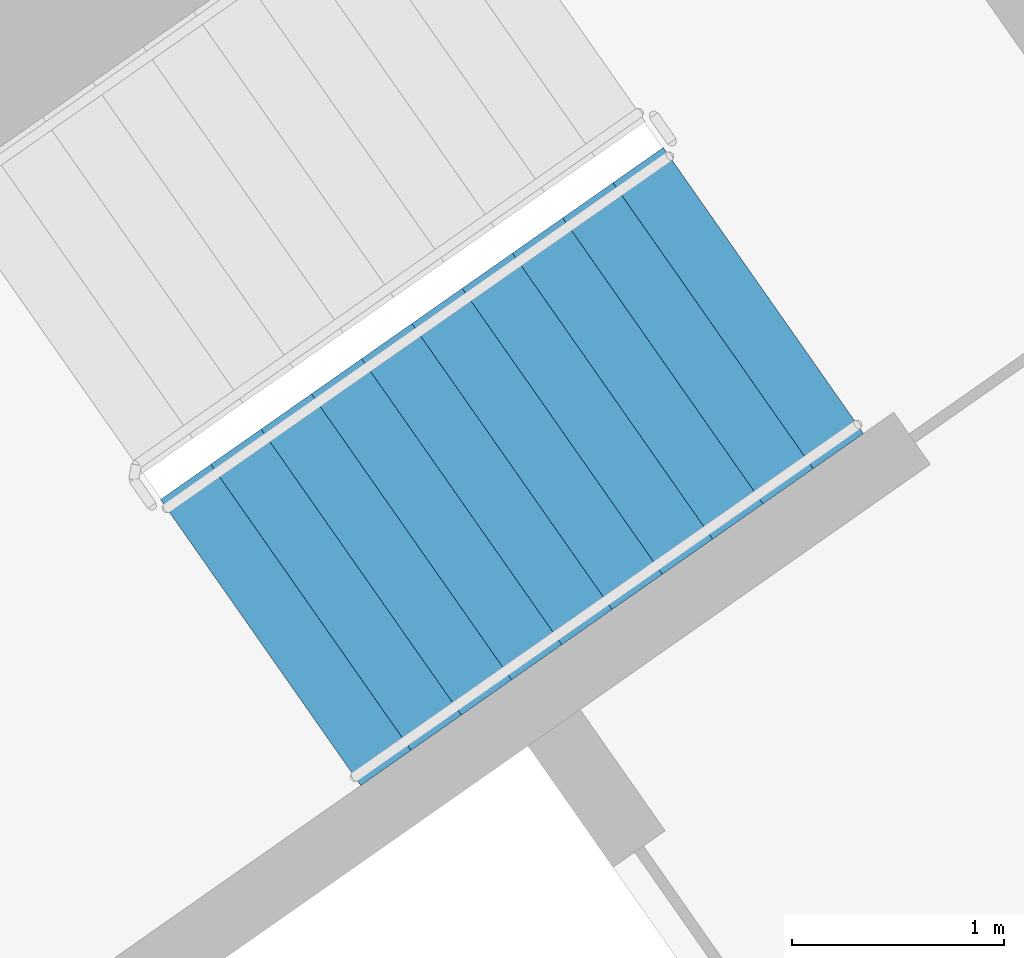
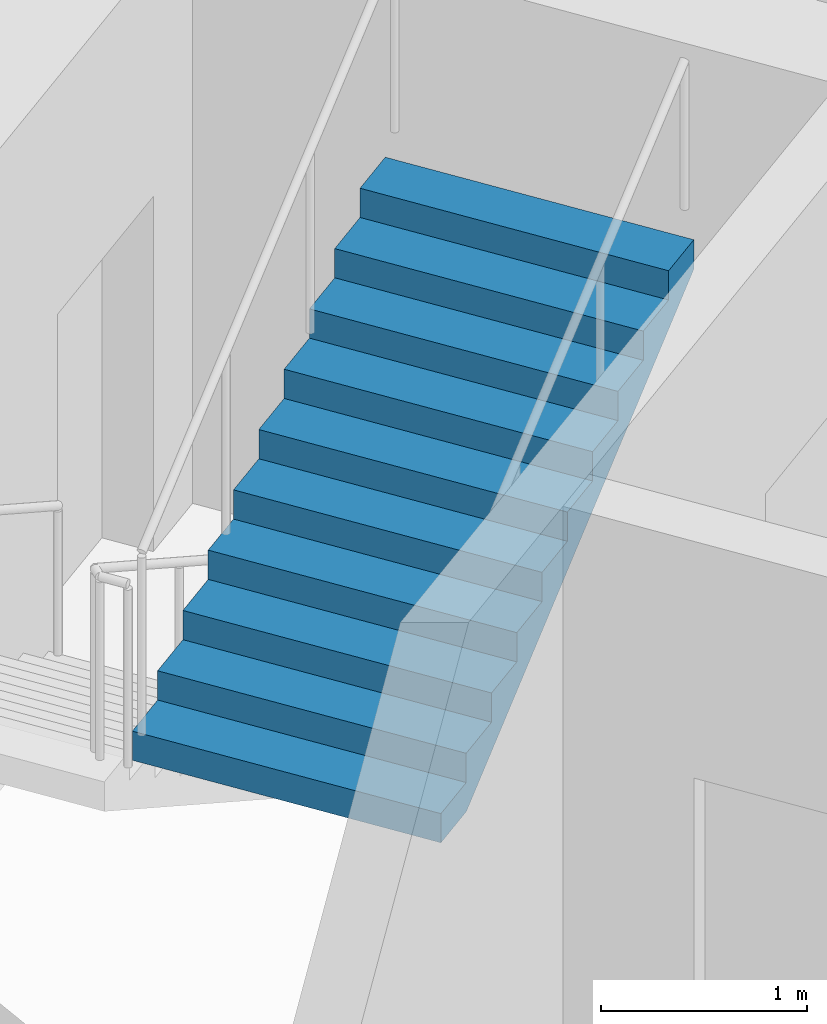
# One storey, part 15 of 27: 1 stair flight, 1 element without a shape of its own.
"""IFC4 building model written with IfcOpenShell, lengths in metres."""

from ifc_helpers import new_model, si_unit, direction, frame, origin, place, context, subcontext, project, spatial, faceted_brep, material, type_object, element, aggregate, save


model = new_model("IFC4")

# Units and contexts
model_context = context("Model", 3, precision=1e-05, world=origin(), true_north=direction((0.0, 1.0)))
body_context = subcontext(model_context, "Body", "Model", "MODEL_VIEW")
ifc_project = project(units=[si_unit("LENGTHUNIT", "METRE"), si_unit("AREAUNIT", "SQUARE_METRE"), si_unit("VOLUMEUNIT", "CUBIC_METRE"), si_unit("PLANEANGLEUNIT", "RADIAN"), si_unit("MASSUNIT", "GRAM", prefix="KILO")], contexts=[model_context])

# Site, building, storey
site_placement = place(None, origin())
site = spatial("IfcSite", under=ifc_project, at=site_placement, CompositionType="ELEMENT")
building_placement = place(site_placement, origin())
building = spatial("IfcBuilding", under=site, at=building_placement, Name="Qamariyya Broadcast Tower", CompositionType="ELEMENT")
storey_placement = place(building_placement, frame((0.0, 0.0, 172.10009765625)))
storey = spatial("IfcBuildingStorey", under=building, at=storey_placement, Name="L40", CompositionType="ELEMENT", Elevation=172.10009765625)

# Stair, stair flight
ifc_material = material(Name="Concrete C50/60", Category="concrete")
stair_type = type_object("IfcStairType", Name="Exit stair 22 risers of 173 mm", PredefinedType="HALF_TURN_STAIR", material=ifc_material)
stair_placement = place(storey_placement, origin())
stair = element("IfcStair", 1, at=stair_placement, inside=storey, type_object=stair_type, Name="L40 Stair E2", PredefinedType="HALF_TURN_STAIR")
stair_flight_type = type_object("IfcStairFlightType", Name="Exit stair flight 11 risers of 173 mm", PredefinedType="STRAIGHT", material=ifc_material)
stair_flight_placement = place(storey_placement, frame((39.215576171875, -50.822998046875, 1.89990234375), z_axis=(0.0, 0.0, 1.0), x_axis=(0.819152044289, 0.573576436351, 0.0)))
stair_flight = element("IfcStairFlight", 2, at=stair_flight_placement, type_object=stair_flight_type, Name="ST-E2 flight 2", NumberOfRisers=11, NumberOfTreads=10, PredefinedType="STRAIGHT", RiserHeight=0.172727273, TreadLength=0.29, context=body_context, shape_type="Brep", body=[
    faceted_brep([(0.0, 0.824951171875, 0.0), (0.0, 0.824951171875, 0.172607421875), (0.2900390625, 0.824951171875, 0.172607421875), (0.2900390625, 0.824951171875, 0.345458984375), (0.580078125, 0.824951171875, 0.345458984375), (0.580078125, 0.824951171875, 0.51806640625), (0.8701171875, 0.824951171875, 0.51806640625), (0.8701171875, 0.824951171875, 0.69091796875), (1.159912109375, 0.824951171875, 0.69091796875), (1.159912109375, 0.824951171875, 0.863525390625), (1.449951171875, 0.824951171875, 0.863525390625), (1.449951171875, 0.824951171875, 1.036376953125), (1.739990234375, 0.824951171875, 1.036376953125), (1.739990234375, 0.824951171875, 1.208984375), (2.030029296875, 0.824951171875, 1.208984375), (2.030029296875, 0.824951171875, 1.3818359375), (2.320068359375, 0.824951171875, 1.3818359375), (2.320068359375, 0.824951171875, 1.554443359375), (2.610107421875, 0.824951171875, 1.554443359375), (2.610107421875, 0.824951171875, 1.727294921875), (2.89990234375, 0.824951171875, 1.727294921875), (2.89990234375, 0.824951171875, 1.552734375), (0.29296875, 0.824951171875, 0.0), (0.29296875, -0.824951171875, 0.0), (2.89990234375, -0.824951171875, 1.552734375), (2.89990234375, -0.824951171875, 1.727294921875), (2.610107421875, -0.824951171875, 1.727294921875), (2.610107421875, -0.824951171875, 1.554443359375), (2.320068359375, -0.824951171875, 1.554443359375), (2.320068359375, -0.824951171875, 1.3818359375), (2.030029296875, -0.824951171875, 1.3818359375), (2.030029296875, -0.824951171875, 1.208984375), (1.739990234375, -0.824951171875, 1.208984375), (1.739990234375, -0.824951171875, 1.036376953125), (1.449951171875, -0.824951171875, 1.036376953125), (1.449951171875, -0.824951171875, 0.863525390625), (1.159912109375, -0.824951171875, 0.863525390625), (1.159912109375, -0.824951171875, 0.69091796875), (0.8701171875, -0.824951171875, 0.69091796875), (0.8701171875, -0.824951171875, 0.51806640625), (0.580078125, -0.824951171875, 0.51806640625), (0.580078125, -0.824951171875, 0.345458984375), (0.2900390625, -0.824951171875, 0.345458984375), (0.2900390625, -0.824951171875, 0.172607421875), (0.0, -0.824951171875, 0.172607421875), (0.0, -0.824951171875, 0.0), (0.0, 0.10009765625, 0.0), (0.0, 0.086669921875, 0.0), (0.0, 0.0732421875, 0.0), (0.0, 0.06005859375, 0.0), (0.0, 0.046630859375, 0.0), (0.0, 0.033447265625, 0.0), (0.0, 0.02001953125, 0.0), (0.0, 0.006591796875, 0.0), (0.0, -0.006591796875, 0.0), (0.0, -0.02001953125, 0.0), (0.0, -0.033447265625, 0.0), (0.0, -0.046630859375, 0.0), (0.0, -0.06005859375, 0.0), (0.0, -0.0732421875, 0.0), (0.0, -0.086669921875, 0.0), (0.0, -0.10009765625, 0.0), (0.0, -0.10009765625, 0.172607421875), (0.0, -0.086669921875, 0.172607421875), (0.0, -0.0732421875, 0.172607421875), (0.0, -0.06005859375, 0.172607421875), (0.0, -0.046630859375, 0.172607421875), (0.0, -0.033447265625, 0.172607421875), (0.0, -0.02001953125, 0.172607421875), (0.0, -0.006591796875, 0.172607421875), (0.0, 0.006591796875, 0.172607421875), (0.0, 0.02001953125, 0.172607421875), (0.0, 0.033447265625, 0.172607421875), (0.0, 0.046630859375, 0.172607421875), (0.0, 0.06005859375, 0.172607421875), (0.0, 0.0732421875, 0.172607421875), (0.0, 0.086669921875, 0.172607421875), (0.0, 0.10009765625, 0.172607421875), (0.2900390625, -0.10009765625, 0.172607421875), (0.2900390625, -0.086669921875, 0.172607421875), (0.2900390625, -0.0732421875, 0.172607421875), (0.2900390625, -0.06005859375, 0.172607421875), (0.2900390625, -0.046630859375, 0.172607421875), (0.2900390625, -0.033447265625, 0.172607421875), (0.2900390625, -0.02001953125, 0.172607421875), (0.2900390625, -0.006591796875, 0.172607421875), (0.2900390625, 0.006591796875, 0.172607421875), (0.2900390625, 0.02001953125, 0.172607421875), (0.2900390625, 0.033447265625, 0.172607421875), (0.2900390625, 0.046630859375, 0.172607421875), (0.2900390625, 0.06005859375, 0.172607421875), (0.2900390625, 0.0732421875, 0.172607421875), (0.2900390625, 0.086669921875, 0.172607421875), (0.2900390625, 0.10009765625, 0.172607421875), (0.2900390625, -0.10009765625, 0.345458984375), (0.2900390625, -0.086669921875, 0.345458984375), (0.2900390625, -0.0732421875, 0.345458984375), (0.2900390625, -0.06005859375, 0.345458984375), (0.2900390625, -0.046630859375, 0.345458984375), (0.2900390625, -0.033447265625, 0.345458984375), (0.2900390625, -0.02001953125, 0.345458984375), (0.2900390625, -0.006591796875, 0.345458984375), (0.2900390625, 0.006591796875, 0.345458984375), (0.2900390625, 0.02001953125, 0.345458984375), (0.2900390625, 0.033447265625, 0.345458984375), (0.2900390625, 0.046630859375, 0.345458984375), (0.2900390625, 0.06005859375, 0.345458984375), (0.2900390625, 0.0732421875, 0.345458984375), (0.2900390625, 0.086669921875, 0.345458984375), (0.2900390625, 0.10009765625, 0.345458984375), (0.580078125, -0.10009765625, 0.345458984375), (0.580078125, -0.086669921875, 0.345458984375), (0.580078125, -0.0732421875, 0.345458984375), (0.580078125, -0.06005859375, 0.345458984375), (0.580078125, -0.046630859375, 0.345458984375), (0.580078125, -0.033447265625, 0.345458984375), (0.580078125, -0.02001953125, 0.345458984375), (0.580078125, -0.006591796875, 0.345458984375), (0.580078125, 0.006591796875, 0.345458984375), (0.580078125, 0.02001953125, 0.345458984375), (0.580078125, 0.033447265625, 0.345458984375), (0.580078125, 0.046630859375, 0.345458984375), (0.580078125, 0.06005859375, 0.345458984375), (0.580078125, 0.0732421875, 0.345458984375), (0.580078125, 0.086669921875, 0.345458984375), (0.580078125, 0.10009765625, 0.345458984375), (0.580078125, -0.10009765625, 0.51806640625), (0.580078125, -0.086669921875, 0.51806640625), (0.580078125, -0.0732421875, 0.51806640625), (0.580078125, -0.06005859375, 0.51806640625), (0.580078125, -0.046630859375, 0.51806640625), (0.580078125, -0.033447265625, 0.51806640625), (0.580078125, -0.02001953125, 0.51806640625), (0.580078125, -0.006591796875, 0.51806640625), (0.580078125, 0.006591796875, 0.51806640625), (0.580078125, 0.02001953125, 0.51806640625), (0.580078125, 0.033447265625, 0.51806640625), (0.580078125, 0.046630859375, 0.51806640625), (0.580078125, 0.06005859375, 0.51806640625), (0.580078125, 0.0732421875, 0.51806640625), (0.580078125, 0.086669921875, 0.51806640625), (0.580078125, 0.10009765625, 0.51806640625), (0.8701171875, -0.10009765625, 0.51806640625), (0.8701171875, -0.086669921875, 0.51806640625), (0.8701171875, -0.0732421875, 0.51806640625), (0.8701171875, -0.06005859375, 0.51806640625), (0.8701171875, -0.046630859375, 0.51806640625), (0.8701171875, -0.033447265625, 0.51806640625), (0.8701171875, -0.02001953125, 0.51806640625), (0.8701171875, -0.006591796875, 0.51806640625), (0.8701171875, 0.006591796875, 0.51806640625), (0.8701171875, 0.02001953125, 0.51806640625), (0.8701171875, 0.033447265625, 0.51806640625), (0.8701171875, 0.046630859375, 0.51806640625), (0.8701171875, 0.06005859375, 0.51806640625), (0.8701171875, 0.0732421875, 0.51806640625), (0.8701171875, 0.086669921875, 0.51806640625), (0.8701171875, 0.10009765625, 0.51806640625), (0.8701171875, -0.10009765625, 0.69091796875), (0.8701171875, -0.086669921875, 0.69091796875), (0.8701171875, -0.0732421875, 0.69091796875), (0.8701171875, -0.06005859375, 0.69091796875), (0.8701171875, -0.046630859375, 0.69091796875), (0.8701171875, -0.033447265625, 0.69091796875), (0.8701171875, -0.02001953125, 0.69091796875), (0.8701171875, -0.006591796875, 0.69091796875), (0.8701171875, 0.006591796875, 0.69091796875), (0.8701171875, 0.02001953125, 0.69091796875), (0.8701171875, 0.033447265625, 0.69091796875), (0.8701171875, 0.046630859375, 0.69091796875), (0.8701171875, 0.06005859375, 0.69091796875), (0.8701171875, 0.0732421875, 0.69091796875), (0.8701171875, 0.086669921875, 0.69091796875), (0.8701171875, 0.10009765625, 0.69091796875), (1.159912109375, -0.10009765625, 0.69091796875), (1.159912109375, -0.086669921875, 0.69091796875), (1.159912109375, -0.0732421875, 0.69091796875), (1.159912109375, -0.06005859375, 0.69091796875), (1.159912109375, -0.046630859375, 0.69091796875), (1.159912109375, -0.033447265625, 0.69091796875), (1.159912109375, -0.02001953125, 0.69091796875), (1.159912109375, -0.006591796875, 0.69091796875), (1.159912109375, 0.006591796875, 0.69091796875), (1.159912109375, 0.02001953125, 0.69091796875), (1.159912109375, 0.033447265625, 0.69091796875), (1.159912109375, 0.046630859375, 0.69091796875), (1.159912109375, 0.06005859375, 0.69091796875), (1.159912109375, 0.0732421875, 0.69091796875), (1.159912109375, 0.086669921875, 0.69091796875), (1.159912109375, 0.10009765625, 0.69091796875), (1.159912109375, -0.10009765625, 0.863525390625), (1.159912109375, -0.086669921875, 0.863525390625), (1.159912109375, -0.0732421875, 0.863525390625), (1.159912109375, -0.06005859375, 0.863525390625), (1.159912109375, -0.046630859375, 0.863525390625), (1.159912109375, -0.033447265625, 0.863525390625), (1.159912109375, -0.02001953125, 0.863525390625), (1.159912109375, -0.006591796875, 0.863525390625), (1.159912109375, 0.006591796875, 0.863525390625), (1.159912109375, 0.02001953125, 0.863525390625), (1.159912109375, 0.033447265625, 0.863525390625), (1.159912109375, 0.046630859375, 0.863525390625), (1.159912109375, 0.06005859375, 0.863525390625), (1.159912109375, 0.0732421875, 0.863525390625), (1.159912109375, 0.086669921875, 0.863525390625), (1.159912109375, 0.10009765625, 0.863525390625), (1.449951171875, -0.10009765625, 0.863525390625), (1.449951171875, -0.086669921875, 0.863525390625), (1.449951171875, -0.0732421875, 0.863525390625), (1.449951171875, -0.06005859375, 0.863525390625), (1.449951171875, -0.046630859375, 0.863525390625), (1.449951171875, -0.033447265625, 0.863525390625), (1.449951171875, -0.02001953125, 0.863525390625), (1.449951171875, -0.006591796875, 0.863525390625), (1.449951171875, 0.006591796875, 0.863525390625), (1.449951171875, 0.02001953125, 0.863525390625), (1.449951171875, 0.033447265625, 0.863525390625), (1.449951171875, 0.046630859375, 0.863525390625), (1.449951171875, 0.06005859375, 0.863525390625), (1.449951171875, 0.0732421875, 0.863525390625), (1.449951171875, 0.086669921875, 0.863525390625), (1.449951171875, 0.10009765625, 0.863525390625), (1.449951171875, -0.10009765625, 1.036376953125), (1.449951171875, -0.086669921875, 1.036376953125), (1.449951171875, -0.0732421875, 1.036376953125), (1.449951171875, -0.06005859375, 1.036376953125), (1.449951171875, -0.046630859375, 1.036376953125), (1.449951171875, -0.033447265625, 1.036376953125), (1.449951171875, -0.02001953125, 1.036376953125), (1.449951171875, -0.006591796875, 1.036376953125), (1.449951171875, 0.006591796875, 1.036376953125), (1.449951171875, 0.02001953125, 1.036376953125), (1.449951171875, 0.033447265625, 1.036376953125), (1.449951171875, 0.046630859375, 1.036376953125), (1.449951171875, 0.06005859375, 1.036376953125), (1.449951171875, 0.0732421875, 1.036376953125), (1.449951171875, 0.086669921875, 1.036376953125), (1.449951171875, 0.10009765625, 1.036376953125), (1.739990234375, -0.10009765625, 1.036376953125), (1.739990234375, -0.086669921875, 1.036376953125), (1.739990234375, -0.0732421875, 1.036376953125), (1.739990234375, -0.06005859375, 1.036376953125), (1.739990234375, -0.046630859375, 1.036376953125), (1.739990234375, -0.033447265625, 1.036376953125), (1.739990234375, -0.02001953125, 1.036376953125), (1.739990234375, -0.006591796875, 1.036376953125), (1.739990234375, 0.006591796875, 1.036376953125), (1.739990234375, 0.02001953125, 1.036376953125), (1.739990234375, 0.033447265625, 1.036376953125), (1.739990234375, 0.046630859375, 1.036376953125), (1.739990234375, 0.06005859375, 1.036376953125), (1.739990234375, 0.0732421875, 1.036376953125), (1.739990234375, 0.086669921875, 1.036376953125), (1.739990234375, 0.10009765625, 1.036376953125), (1.739990234375, -0.10009765625, 1.208984375), (1.739990234375, -0.086669921875, 1.208984375), (1.739990234375, -0.0732421875, 1.208984375), (1.739990234375, -0.06005859375, 1.208984375), (1.739990234375, -0.046630859375, 1.208984375), (1.739990234375, -0.033447265625, 1.208984375), (1.739990234375, -0.02001953125, 1.208984375), (1.739990234375, -0.006591796875, 1.208984375), (1.739990234375, 0.006591796875, 1.208984375), (1.739990234375, 0.02001953125, 1.208984375), (1.739990234375, 0.033447265625, 1.208984375), (1.739990234375, 0.046630859375, 1.208984375), (1.739990234375, 0.06005859375, 1.208984375), (1.739990234375, 0.0732421875, 1.208984375), (1.739990234375, 0.086669921875, 1.208984375), (1.739990234375, 0.10009765625, 1.208984375), (2.030029296875, -0.10009765625, 1.208984375), (2.030029296875, -0.086669921875, 1.208984375), (2.030029296875, -0.0732421875, 1.208984375), (2.030029296875, -0.06005859375, 1.208984375), (2.030029296875, -0.046630859375, 1.208984375), (2.030029296875, -0.033447265625, 1.208984375), (2.030029296875, -0.02001953125, 1.208984375), (2.030029296875, -0.006591796875, 1.208984375), (2.030029296875, 0.006591796875, 1.208984375), (2.030029296875, 0.02001953125, 1.208984375), (2.030029296875, 0.033447265625, 1.208984375), (2.030029296875, 0.046630859375, 1.208984375), (2.030029296875, 0.06005859375, 1.208984375), (2.030029296875, 0.0732421875, 1.208984375), (2.030029296875, 0.086669921875, 1.208984375), (2.030029296875, 0.10009765625, 1.208984375), (2.030029296875, -0.10009765625, 1.3818359375), (2.030029296875, -0.086669921875, 1.3818359375), (2.030029296875, -0.0732421875, 1.3818359375), (2.030029296875, -0.06005859375, 1.3818359375), (2.030029296875, -0.046630859375, 1.3818359375), (2.030029296875, -0.033447265625, 1.3818359375), (2.030029296875, -0.02001953125, 1.3818359375), (2.030029296875, -0.006591796875, 1.3818359375), (2.030029296875, 0.006591796875, 1.3818359375), (2.030029296875, 0.02001953125, 1.3818359375), (2.030029296875, 0.033447265625, 1.3818359375), (2.030029296875, 0.046630859375, 1.3818359375), (2.030029296875, 0.06005859375, 1.3818359375), (2.030029296875, 0.0732421875, 1.3818359375), (2.030029296875, 0.086669921875, 1.3818359375), (2.030029296875, 0.10009765625, 1.3818359375), (2.320068359375, -0.10009765625, 1.3818359375), (2.320068359375, -0.086669921875, 1.3818359375), (2.320068359375, -0.0732421875, 1.3818359375), (2.320068359375, -0.06005859375, 1.3818359375), (2.320068359375, -0.046630859375, 1.3818359375), (2.320068359375, -0.033447265625, 1.3818359375), (2.320068359375, -0.02001953125, 1.3818359375), (2.320068359375, -0.006591796875, 1.3818359375), (2.320068359375, 0.006591796875, 1.3818359375), (2.320068359375, 0.02001953125, 1.3818359375), (2.320068359375, 0.033447265625, 1.3818359375), (2.320068359375, 0.046630859375, 1.3818359375), (2.320068359375, 0.06005859375, 1.3818359375), (2.320068359375, 0.0732421875, 1.3818359375), (2.320068359375, 0.086669921875, 1.3818359375), (2.320068359375, 0.10009765625, 1.3818359375), (2.320068359375, -0.10009765625, 1.554443359375), (2.320068359375, -0.086669921875, 1.554443359375), (2.320068359375, -0.0732421875, 1.554443359375), (2.320068359375, -0.06005859375, 1.554443359375), (2.320068359375, -0.046630859375, 1.554443359375), (2.320068359375, -0.033447265625, 1.554443359375), (2.320068359375, -0.02001953125, 1.554443359375), (2.320068359375, -0.006591796875, 1.554443359375), (2.320068359375, 0.006591796875, 1.554443359375), (2.320068359375, 0.02001953125, 1.554443359375), (2.320068359375, 0.033447265625, 1.554443359375), (2.320068359375, 0.046630859375, 1.554443359375), (2.320068359375, 0.06005859375, 1.554443359375), (2.320068359375, 0.0732421875, 1.554443359375), (2.320068359375, 0.086669921875, 1.554443359375), (2.320068359375, 0.10009765625, 1.554443359375), (2.610107421875, -0.10009765625, 1.554443359375), (2.610107421875, -0.086669921875, 1.554443359375), (2.610107421875, -0.0732421875, 1.554443359375), (2.610107421875, -0.06005859375, 1.554443359375), (2.610107421875, -0.046630859375, 1.554443359375), (2.610107421875, -0.033447265625, 1.554443359375), (2.610107421875, -0.02001953125, 1.554443359375), (2.610107421875, -0.006591796875, 1.554443359375), (2.610107421875, 0.006591796875, 1.554443359375), (2.610107421875, 0.02001953125, 1.554443359375), (2.610107421875, 0.033447265625, 1.554443359375), (2.610107421875, 0.046630859375, 1.554443359375), (2.610107421875, 0.06005859375, 1.554443359375), (2.610107421875, 0.0732421875, 1.554443359375), (2.610107421875, 0.086669921875, 1.554443359375), (2.610107421875, 0.10009765625, 1.554443359375), (2.610107421875, -0.10009765625, 1.727294921875), (2.610107421875, -0.086669921875, 1.727294921875), (2.610107421875, -0.0732421875, 1.727294921875), (2.610107421875, -0.06005859375, 1.727294921875), (2.610107421875, -0.046630859375, 1.727294921875), (2.610107421875, -0.033447265625, 1.727294921875), (2.610107421875, -0.02001953125, 1.727294921875), (2.610107421875, -0.006591796875, 1.727294921875), (2.610107421875, 0.006591796875, 1.727294921875), (2.610107421875, 0.02001953125, 1.727294921875), (2.610107421875, 0.033447265625, 1.727294921875), (2.610107421875, 0.046630859375, 1.727294921875), (2.610107421875, 0.06005859375, 1.727294921875), (2.610107421875, 0.0732421875, 1.727294921875), (2.610107421875, 0.086669921875, 1.727294921875), (2.610107421875, 0.10009765625, 1.727294921875), (2.89990234375, -0.10009765625, 1.727294921875), (2.89990234375, -0.086669921875, 1.727294921875), (2.89990234375, -0.0732421875, 1.727294921875), (2.89990234375, -0.06005859375, 1.727294921875), (2.89990234375, -0.046630859375, 1.727294921875), (2.89990234375, -0.033447265625, 1.727294921875), (2.89990234375, -0.02001953125, 1.727294921875), (2.89990234375, -0.006591796875, 1.727294921875), (2.89990234375, 0.006591796875, 1.727294921875), (2.89990234375, 0.02001953125, 1.727294921875), (2.89990234375, 0.033447265625, 1.727294921875), (2.89990234375, 0.046630859375, 1.727294921875), (2.89990234375, 0.06005859375, 1.727294921875), (2.89990234375, 0.0732421875, 1.727294921875), (2.89990234375, 0.086669921875, 1.727294921875), (2.89990234375, 0.10009765625, 1.727294921875), (2.89990234375, -0.10009765625, 1.552734375), (2.89990234375, -0.086669921875, 1.552734375), (2.89990234375, -0.0732421875, 1.552734375), (2.89990234375, -0.06005859375, 1.552734375), (2.89990234375, -0.046630859375, 1.552734375), (2.89990234375, -0.033447265625, 1.552734375), (2.89990234375, -0.02001953125, 1.552734375), (2.89990234375, -0.006591796875, 1.552734375), (2.89990234375, 0.006591796875, 1.552734375), (2.89990234375, 0.02001953125, 1.552734375), (2.89990234375, 0.033447265625, 1.552734375), (2.89990234375, 0.046630859375, 1.552734375), (2.89990234375, 0.06005859375, 1.552734375), (2.89990234375, 0.0732421875, 1.552734375), (2.89990234375, 0.086669921875, 1.552734375), (2.89990234375, 0.10009765625, 1.552734375), (0.29296875, -0.10009765625, 0.0), (0.29296875, -0.086669921875, 0.0), (0.29296875, -0.0732421875, 0.0), (0.29296875, -0.06005859375, 0.0), (0.29296875, -0.046630859375, 0.0), (0.29296875, -0.033447265625, 0.0), (0.29296875, -0.02001953125, 0.0), (0.29296875, -0.006591796875, 0.0), (0.29296875, 0.006591796875, 0.0), (0.29296875, 0.02001953125, 0.0), (0.29296875, 0.033447265625, 0.0), (0.29296875, 0.046630859375, 0.0), (0.29296875, 0.06005859375, 0.0), (0.29296875, 0.0732421875, 0.0), (0.29296875, 0.086669921875, 0.0), (0.29296875, 0.10009765625, 0.0)], [[[0, 1, 2, 3, 4, 5, 6, 7, 8, 9, 10, 11, 12, 13, 14, 15, 16, 17, 18, 19, 20, 21, 22]], [[23, 24, 25, 26, 27, 28, 29, 30, 31, 32, 33, 34, 35, 36, 37, 38, 39, 40, 41, 42, 43, 44, 45]], [[0, 46, 47, 48, 49, 50, 51, 52, 53, 54, 55, 56, 57, 58, 59, 60, 61, 45, 44, 62, 63, 64, 65, 66, 67, 68, 69, 70, 71, 72, 73, 74, 75, 76, 77, 1]], [[1, 77, 76, 75, 74, 73, 72, 71, 70, 69, 68, 67, 66, 65, 64, 63, 62, 44, 43, 78, 79, 80, 81, 82, 83, 84, 85, 86, 87, 88, 89, 90, 91, 92, 93, 2]], [[2, 93, 92, 91, 90, 89, 88, 87, 86, 85, 84, 83, 82, 81, 80, 79, 78, 43, 42, 94, 95, 96, 97, 98, 99, 100, 101, 102, 103, 104, 105, 106, 107, 108, 109, 3]], [[3, 109, 108, 107, 106, 105, 104, 103, 102, 101, 100, 99, 98, 97, 96, 95, 94, 42, 41, 110, 111, 112, 113, 114, 115, 116, 117, 118, 119, 120, 121, 122, 123, 124, 125, 4]], [[4, 125, 124, 123, 122, 121, 120, 119, 118, 117, 116, 115, 114, 113, 112, 111, 110, 41, 40, 126, 127, 128, 129, 130, 131, 132, 133, 134, 135, 136, 137, 138, 139, 140, 141, 5]], [[5, 141, 140, 139, 138, 137, 136, 135, 134, 133, 132, 131, 130, 129, 128, 127, 126, 40, 39, 142, 143, 144, 145, 146, 147, 148, 149, 150, 151, 152, 153, 154, 155, 156, 157, 6]], [[6, 157, 156, 155, 154, 153, 152, 151, 150, 149, 148, 147, 146, 145, 144, 143, 142, 39, 38, 158, 159, 160, 161, 162, 163, 164, 165, 166, 167, 168, 169, 170, 171, 172, 173, 7]], [[7, 173, 172, 171, 170, 169, 168, 167, 166, 165, 164, 163, 162, 161, 160, 159, 158, 38, 37, 174, 175, 176, 177, 178, 179, 180, 181, 182, 183, 184, 185, 186, 187, 188, 189, 8]], [[8, 189, 188, 187, 186, 185, 184, 183, 182, 181, 180, 179, 178, 177, 176, 175, 174, 37, 36, 190, 191, 192, 193, 194, 195, 196, 197, 198, 199, 200, 201, 202, 203, 204, 205, 9]], [[9, 205, 204, 203, 202, 201, 200, 199, 198, 197, 196, 195, 194, 193, 192, 191, 190, 36, 35, 206, 207, 208, 209, 210, 211, 212, 213, 214, 215, 216, 217, 218, 219, 220, 221, 10]], [[10, 221, 220, 219, 218, 217, 216, 215, 214, 213, 212, 211, 210, 209, 208, 207, 206, 35, 34, 222, 223, 224, 225, 226, 227, 228, 229, 230, 231, 232, 233, 234, 235, 236, 237, 11]], [[11, 237, 236, 235, 234, 233, 232, 231, 230, 229, 228, 227, 226, 225, 224, 223, 222, 34, 33, 238, 239, 240, 241, 242, 243, 244, 245, 246, 247, 248, 249, 250, 251, 252, 253, 12]], [[12, 253, 252, 251, 250, 249, 248, 247, 246, 245, 244, 243, 242, 241, 240, 239, 238, 33, 32, 254, 255, 256, 257, 258, 259, 260, 261, 262, 263, 264, 265, 266, 267, 268, 269, 13]], [[13, 269, 268, 267, 266, 265, 264, 263, 262, 261, 260, 259, 258, 257, 256, 255, 254, 32, 31, 270, 271, 272, 273, 274, 275, 276, 277, 278, 279, 280, 281, 282, 283, 284, 285, 14]], [[14, 285, 284, 283, 282, 281, 280, 279, 278, 277, 276, 275, 274, 273, 272, 271, 270, 31, 30, 286, 287, 288, 289, 290, 291, 292, 293, 294, 295, 296, 297, 298, 299, 300, 301, 15]], [[15, 301, 300, 299, 298, 297, 296, 295, 294, 293, 292, 291, 290, 289, 288, 287, 286, 30, 29, 302, 303, 304, 305, 306, 307, 308, 309, 310, 311, 312, 313, 314, 315, 316, 317, 16]], [[16, 317, 316, 315, 314, 313, 312, 311, 310, 309, 308, 307, 306, 305, 304, 303, 302, 29, 28, 318, 319, 320, 321, 322, 323, 324, 325, 326, 327, 328, 329, 330, 331, 332, 333, 17]], [[17, 333, 332, 331, 330, 329, 328, 327, 326, 325, 324, 323, 322, 321, 320, 319, 318, 28, 27, 334, 335, 336, 337, 338, 339, 340, 341, 342, 343, 344, 345, 346, 347, 348, 349, 18]], [[18, 349, 348, 347, 346, 345, 344, 343, 342, 341, 340, 339, 338, 337, 336, 335, 334, 27, 26, 350, 351, 352, 353, 354, 355, 356, 357, 358, 359, 360, 361, 362, 363, 364, 365, 19]], [[19, 365, 364, 363, 362, 361, 360, 359, 358, 357, 356, 355, 354, 353, 352, 351, 350, 26, 25, 366, 367, 368, 369, 370, 371, 372, 373, 374, 375, 376, 377, 378, 379, 380, 381, 20]], [[20, 381, 380, 379, 378, 377, 376, 375, 374, 373, 372, 371, 370, 369, 368, 367, 366, 25, 24, 382, 383, 384, 385, 386, 387, 388, 389, 390, 391, 392, 393, 394, 395, 396, 397, 21]], [[21, 397, 396, 395, 394, 393, 392, 391, 390, 389, 388, 387, 386, 385, 384, 383, 382, 24, 23, 398, 399, 400, 401, 402, 403, 404, 405, 406, 407, 408, 409, 410, 411, 412, 413, 22]], [[22, 413, 412, 411, 410, 409, 408, 407, 406, 405, 404, 403, 402, 401, 400, 399, 398, 23, 45, 61, 60, 59, 58, 57, 56, 55, 54, 53, 52, 51, 50, 49, 48, 47, 46, 0]]]),
])
aggregate(stair, [stair_flight])

save(model, "model.ifc")
